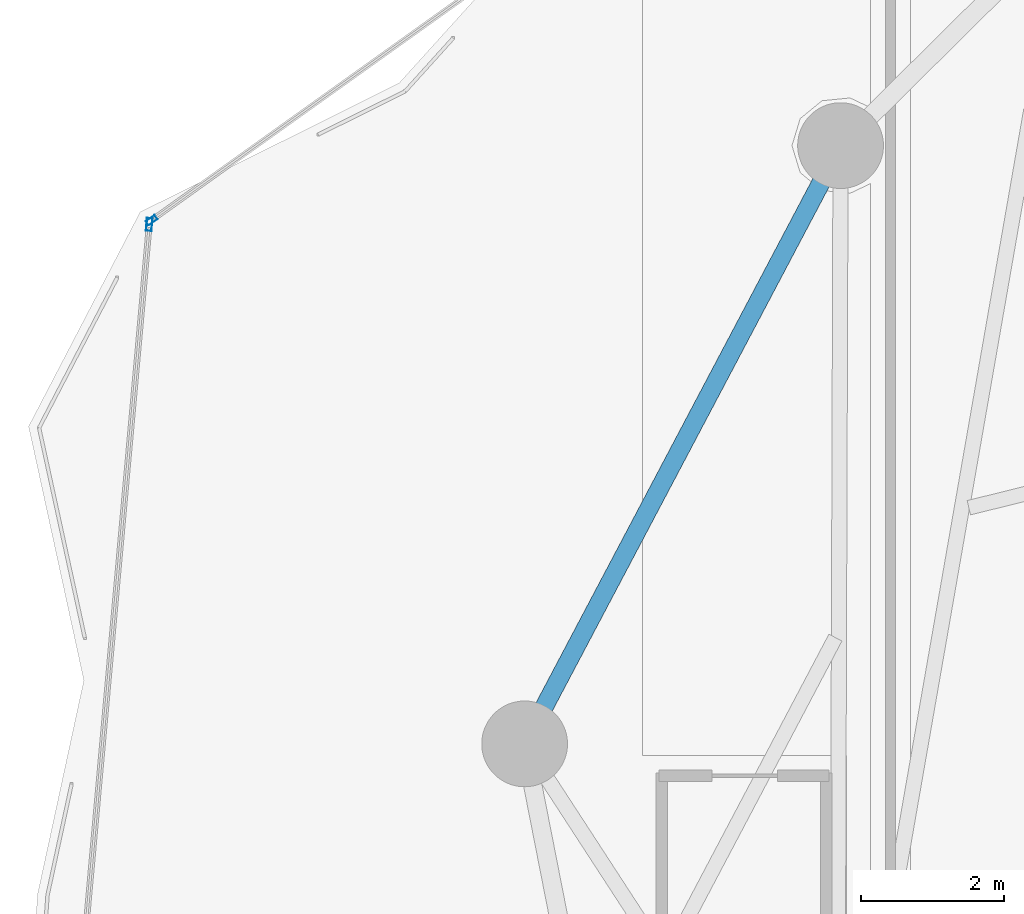
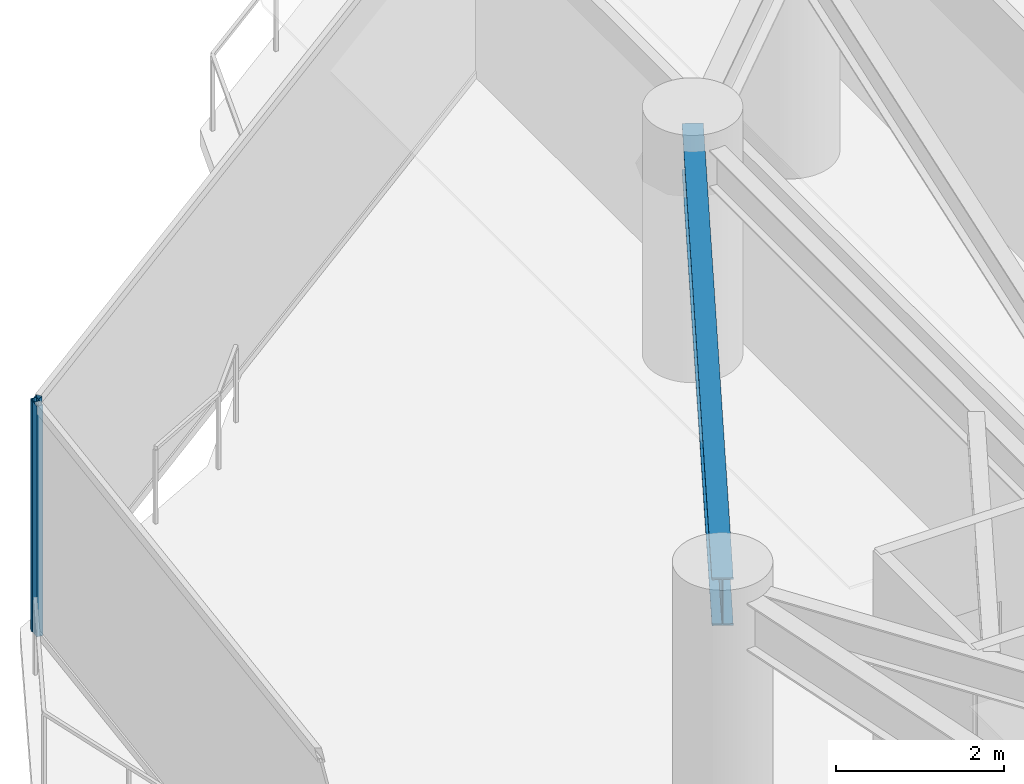
# One storey, part 17 of 33: 2 members, 1 beam, 2 elements without a shape of their own.
"""IFC4 building model written with IfcOpenShell, lengths in metres."""

from ifc_helpers import new_model, si_unit, direction, frame, origin, origin_2d, place, context, subcontext, project, spatial, hollow_rectangle, i_section, extrude, material, layer, layer_set, material_profile, profile_set, type_object, element, aggregate, save


model = new_model("IFC4")

# Units and contexts
model_context = context("Model", 3, precision=1e-05, world=origin(), true_north=direction((0.0, 1.0)))
body_context = subcontext(model_context, "Body", "Model", "MODEL_VIEW")
ifc_project = project(units=[si_unit("LENGTHUNIT", "METRE"), si_unit("AREAUNIT", "SQUARE_METRE"), si_unit("VOLUMEUNIT", "CUBIC_METRE"), si_unit("PLANEANGLEUNIT", "RADIAN"), si_unit("MASSUNIT", "GRAM", prefix="KILO")], contexts=[model_context])

# Site, building, storey
site_placement = place(None, origin())
site = spatial("IfcSite", under=ifc_project, at=site_placement, CompositionType="ELEMENT")
building_placement = place(site_placement, origin())
building = spatial("IfcBuilding", under=site, at=building_placement, Name="Kazevale Care Tower and Concert Hall", CompositionType="ELEMENT")
storey_placement = place(building_placement, frame((0.0, 0.0, 145.800048828125)))
storey = spatial("IfcBuildingStorey", under=building, at=storey_placement, Name="L38", CompositionType="ELEMENT", Elevation=145.800048828125)

# Curtain wall, member
ifc_material_1 = material(Name="Aluminium 6063-T6 and Low-E Glass", Category="aluminium")
ifc_layer_1 = layer(ifc_material_1, 0.179931640625)
ifc_layer_set_1 = layer_set([ifc_layer_1], Name="Aluminium 6063-T6 and Low-E Glass")
curtain_wall_type_1 = type_object("IfcCurtainWallType", Name="Convex Recessed Sunroom Curtain Wall CW-3", PredefinedType="NOTDEFINED", material=ifc_layer_set_1)
curtain_wall_1_placement = place(storey_placement, origin())
curtain_wall_1 = element("IfcCurtainWall", 1, at=curtain_wall_1_placement, inside=storey, type_object=curtain_wall_type_1, Name="cw:L38:f14", PredefinedType="NOTDEFINED")
ifc_material_2 = material(Name="Aluminium 6063-T6", Category="aluminium")
ifc_material_profile_1 = material_profile(ifc_material_2, hollow_rectangle(XDim=0.074951171875, YDim=0.14990234375, WallThickness=0.00390625, at=origin_2d()), Name="ALU75x150x4")
ifc_profile_set_1 = profile_set([ifc_material_profile_1], Name="Aluminium 6063-T6")
member_type_1 = type_object("IfcMemberType", Name="CW-3 Mullion ALU75x150x4", PredefinedType="MULLION", material=ifc_profile_set_1)
member_1_placement = place(storey_placement, frame((12.41259765625, 50.44775390625, 0.0), z_axis=(0.0, 0.0, 1.0), x_axis=(-0.58132396176, 0.813672201494, 0.0)))
member_1 = element("IfcMember", 2, at=member_1_placement, type_object=member_type_1, Name="CW-3 mullion 1", PredefinedType="MULLION", context=body_context, shape_type="SweptSolid", body=[
    extrude(hollow_rectangle(XDim=0.074951171875, YDim=0.14990234375, WallThickness=0.00390625, at=origin_2d()), origin(), (0.0, 0.0, 1.0), 3.35986328125),
])
aggregate(curtain_wall_1, [member_1])

ifc_layer_2 = layer(ifc_material_1, 0.179931640625)
ifc_layer_set_2 = layer_set([ifc_layer_2], Name="Aluminium 6063-T6 and Low-E Glass")
curtain_wall_type_2 = type_object("IfcCurtainWallType", Name="Waist & Upper Residential Curtain Wall CW-4", PredefinedType="NOTDEFINED", material=ifc_layer_set_2)
curtain_wall_2_placement = place(storey_placement, origin())
curtain_wall_2 = element("IfcCurtainWall", 3, at=curtain_wall_2_placement, inside=storey, type_object=curtain_wall_type_2, Name="cw:L38:f13", PredefinedType="NOTDEFINED")
ifc_material_profile_2 = material_profile(ifc_material_2, hollow_rectangle(XDim=0.080078125, YDim=0.179931640625, WallThickness=0.0048828125, at=origin_2d()), Name="ALU80x180x5")
ifc_profile_set_2 = profile_set([ifc_material_profile_2], Name="Aluminium 6063-T6")
member_type_2 = type_object("IfcMemberType", Name="CW-4 Mullion ALU80x180x5", PredefinedType="MULLION", material=ifc_profile_set_2)
member_2_placement = place(storey_placement, frame((12.37841796875, 50.38623046875, 0.0), z_axis=(0.0, 0.0, 1.0), x_axis=(-0.995969703525, 0.089690298589, 0.0)))
member_2 = element("IfcMember", 4, at=member_2_placement, type_object=member_type_2, Name="CW-4 mullion 2", PredefinedType="MULLION", context=body_context, shape_type="SweptSolid", body=[
    extrude(hollow_rectangle(XDim=0.080078125, YDim=0.179931640625, WallThickness=0.0048828125, at=origin_2d()), origin(), (0.0, 0.0, 1.0), 3.35986328125),
])
aggregate(curtain_wall_2, [member_2])

# Beam
ifc_material_3 = material(Name="Steel ASTM A572 Gr 50", Category="steel")
ifc_material_profile_3 = material_profile(ifc_material_3, i_section(OverallWidth=0.256103515625, OverallDepth=0.693115234375, WebThickness=0.014404296875, FlangeThickness=0.023681640625, at=origin_2d()), Name="W690x170")
ifc_profile_set_3 = profile_set([ifc_material_profile_3], Name="Steel ASTM A572 Gr 50")
beam_type = type_object("IfcBeamType", Name="Waist Ring Beam W690x170", PredefinedType="BEAM", material=ifc_profile_set_3)
beam_placement = place(storey_placement, frame((22.050048828125, 51.489990234375, 3.013427734375), z_axis=(-0.466984438127, -0.884265533959, 0.0), x_axis=(0.884265533959, -0.466984438127, 0.0)))
element("IfcBeam", 5, at=beam_placement, inside=storey, type_object=beam_type, Name="beam:L38:ring:08", PredefinedType="BEAM", context=body_context, shape_type="SweptSolid", body=[
    extrude(i_section(OverallWidth=0.256103515625, OverallDepth=0.693115234375, WebThickness=0.014404296875, FlangeThickness=0.023681640625, at=origin_2d()), origin(), (0.0, 0.0, 1.0), 9.46533203125),
])

save(model, "model.ifc")
